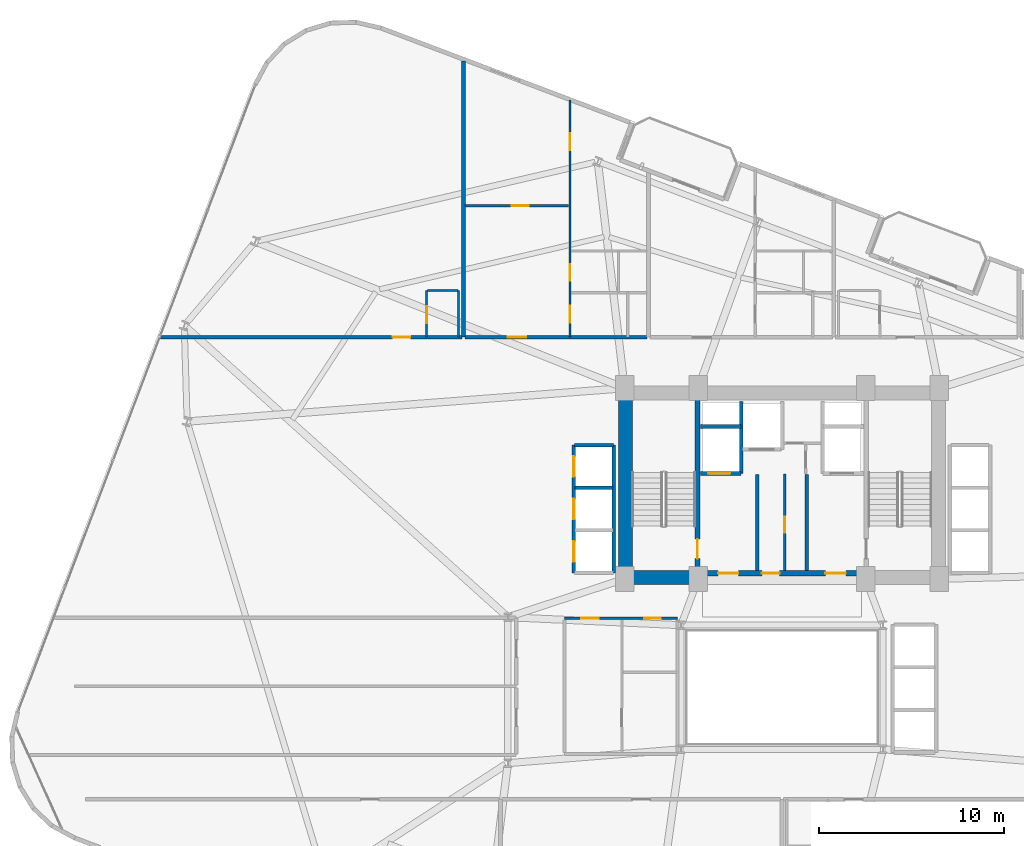
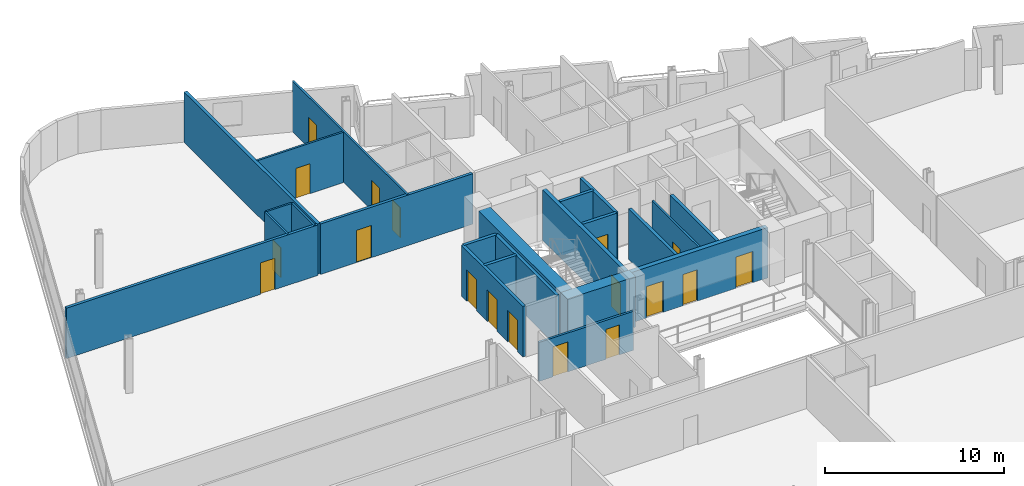
# One storey, part 19 of 25: 23 walls, 18 doors, 18 openings.
"""IFC4 building model written with IfcOpenShell, lengths in metres."""

from ifc_helpers import new_model, si_unit, direction, frame, frame_2d, origin, place, context, subcontext, project, spatial, rectangle, extrude, material, layer, layer_set, type_object, element, fill, save


model = new_model("IFC4")

# Units and contexts
model_context = context("Model", 3, precision=1e-05, world=origin(), true_north=direction((0.0, 1.0)))
body_context = subcontext(model_context, "Body", "Model", "MODEL_VIEW")
ifc_project = project(units=[si_unit("LENGTHUNIT", "METRE"), si_unit("AREAUNIT", "SQUARE_METRE"), si_unit("VOLUMEUNIT", "CUBIC_METRE"), si_unit("PLANEANGLEUNIT", "RADIAN"), si_unit("MASSUNIT", "GRAM", prefix="KILO")], contexts=[model_context])

# Site, building, storey
site_placement = place(None, origin())
site = spatial("IfcSite", under=ifc_project, at=site_placement, CompositionType="ELEMENT")
building_placement = place(site_placement, origin())
building = spatial("IfcBuilding", under=site, at=building_placement, Name="Varnelok Gate Tower", CompositionType="ELEMENT")
storey_placement = place(building_placement, frame((0.0, 0.0, 105.800048828125)))
storey = spatial("IfcBuildingStorey", under=building, at=storey_placement, Name="L26", CompositionType="ELEMENT", Elevation=105.800048828125)

# Wall, opening, door
ifc_material_1 = material(Name="Gypsum Plasterboard Acoustic Partition", Category="gypsum")
ifc_layer_1 = layer(ifc_material_1, 0.179931640625)
ifc_layer_set_1 = layer_set([ifc_layer_1], Name="Gypsum Plasterboard Acoustic Partition")
wall_type_1 = type_object("IfcWallType", Name="PW-CORR-180", PredefinedType="PARTITIONING", material=ifc_layer_set_1)
wall_1_placement = place(storey_placement, frame((5.64599609375, 41.800048828125, 0.0), z_axis=(0.0, 0.0, 1.0), x_axis=(1.0, 0.0, 0.0)))
wall_1 = element("IfcWall", 1, at=wall_1_placement, inside=storey, type_object=wall_type_1, Name="Interior Partition", PredefinedType="PARTITIONING", context=body_context, shape_type="SweptSolid", body=[
    extrude(rectangle(XDim=16.27392578125, YDim=0.179931640625, at=frame_2d((8.136962890625, 0.0))), origin(), (0.0, 0.0, 1.0), 3.449951171875),
])
opening_1_placement = place(wall_1_placement, frame((12.5341796875, 0.0, 0.0)))
opening_1 = element("IfcOpeningElement", 2, at=opening_1_placement, cuts=wall_1, Name="Opening D-HT", PredefinedType="OPENING", context=body_context, shape_type="SweptSolid", body=[
    extrude(rectangle(XDim=0.949951171875, YDim=2.14990234375, at=frame_2d((0.47509765625, 1.074951171875))), frame((0.0, 0.099853515625, 0.0), z_axis=(0.0, -1.0, 0.0), x_axis=(1.0, 0.0, 0.0)), (0.0, 0.0, 1.0), 0.199951171875),
])
ifc_material_2 = material(Name="Engineered Hardwood Timber", Category="wood")
door_type_1 = type_object("IfcDoorType", Name="DR-HTL-950", OperationType="NOTDEFINED", PredefinedType="DOOR", material=ifc_material_2)
door_1_placement = place(opening_1_placement, origin())
door_1 = element("IfcDoor", 3, at=door_1_placement, inside=storey, type_object=door_type_1, Name="L26 Guest Room 05 Entrance Door", OperationType="SINGLE_SWING_RIGHT", OverallHeight=2.14990234375, OverallWidth=0.949951171875, PredefinedType="DOOR", context=body_context, shape_type="SweptSolid", body=[
    extrude(rectangle(XDim=0.949951171875, YDim=2.14990234375, at=frame_2d((0.47509765625, 1.074951171875))), frame((0.0, 0.02490234375, 0.0), z_axis=(0.0, -1.0, 0.0), x_axis=(1.0, 0.0, 0.0)), (0.0, 0.0, 1.0), 0.050048828125),
])
fill(opening_1, door_1)

wall_2_placement = place(storey_placement, frame((22.080078125, 41.800048828125, 0.0), z_axis=(0.0, 0.0, 1.0), x_axis=(1.0, 0.0, 0.0)))
wall_2 = element("IfcWall", 4, at=wall_2_placement, inside=storey, type_object=wall_type_1, Name="Interior Partition", PredefinedType="PARTITIONING", context=body_context, shape_type="SweptSolid", body=[
    extrude(rectangle(XDim=9.83984375, YDim=0.179931640625, at=frame_2d((4.919921875, 0.0))), origin(), (0.0, 0.0, 1.0), 3.449951171875),
])
opening_2_placement = place(wall_2_placement, frame((2.302490234375, 0.0, 0.0)))
opening_2 = element("IfcOpeningElement", 5, at=opening_2_placement, cuts=wall_2, Name="Opening D-AP", PredefinedType="OPENING", context=body_context, shape_type="SweptSolid", body=[
    extrude(rectangle(XDim=1.0, YDim=2.199951171875, at=frame_2d((0.5, 1.10009765625))), frame((0.0, 0.099853515625, 0.0), z_axis=(0.0, -1.0, 0.0), x_axis=(1.0, 0.0, 0.0)), (0.0, 0.0, 1.0), 0.199951171875),
])
door_type_2 = type_object("IfcDoorType", Name="DR-APT-1000", OperationType="NOTDEFINED", PredefinedType="DOOR", material=ifc_material_2)
door_2_placement = place(opening_2_placement, origin())
door_2 = element("IfcDoor", 6, at=door_2_placement, inside=storey, type_object=door_type_2, Name="L26 North Apartment 6 Entrance Door", OperationType="SINGLE_SWING_RIGHT", OverallHeight=2.199951171875, OverallWidth=1.0, PredefinedType="DOOR", context=body_context, shape_type="SweptSolid", body=[
    extrude(rectangle(XDim=1.0, YDim=2.199951171875, at=frame_2d((0.5, 1.10009765625))), frame((0.0, 0.02490234375, 0.0), z_axis=(0.0, -1.0, 0.0), x_axis=(1.0, 0.0, 0.0)), (0.0, 0.0, 1.0), 0.050048828125),
])
fill(opening_2, door_2)

# Wall
ifc_layer_2 = layer(ifc_material_1, 0.114990234375)
ifc_layer_set_2 = layer_set([ifc_layer_2], Name="Gypsum Plasterboard Acoustic Partition")
wall_type_2 = type_object("IfcWallType", Name="PW-ENS-125", PredefinedType="PARTITIONING", material=ifc_layer_set_2)
wall_3_placement = place(storey_placement, frame((20.050048828125, 44.320068359375, 0.0), z_axis=(0.0, 0.0, 1.0), x_axis=(1.0, 0.0, 0.0)))
element("IfcWall", 7, at=wall_3_placement, inside=storey, type_object=wall_type_2, Name="Interior Partition", PredefinedType="PARTITIONING", context=body_context, shape_type="SweptSolid", body=[
    extrude(rectangle(XDim=1.64990234375, YDim=0.114990234375, at=frame_2d((0.824951171875, 0.0))), origin(), (0.0, 0.0, 1.0), 3.449951171875),
])

# Wall, opening, door
wall_4_placement = place(storey_placement, frame((20.010009765625, 41.800048828125, 0.0), z_axis=(0.0, 0.0, 1.0), x_axis=(0.0, 1.0, 0.0)))
wall_4 = element("IfcWall", 8, at=wall_4_placement, inside=storey, type_object=wall_type_2, Name="Interior Partition", PredefinedType="PARTITIONING", context=body_context, shape_type="SweptSolid", body=[
    extrude(rectangle(XDim=2.52001953125, YDim=0.114990234375, at=frame_2d((1.260009765625, 0.0))), origin(), (0.0, 0.0, 1.0), 3.449951171875),
])
opening_3_placement = place(wall_4_placement, frame((0.760009765625, 0.0, 0.0)))
opening_3 = element("IfcOpeningElement", 9, at=opening_3_placement, cuts=wall_4, Name="Opening D-WC", PredefinedType="OPENING", context=body_context, shape_type="SweptSolid", body=[
    extrude(rectangle(XDim=0.89990234375, YDim=2.050048828125, at=frame_2d((0.449951171875, 1.02490234375))), frame((0.0, 0.0673828125, 0.0), z_axis=(0.0, -1.0, 0.0), x_axis=(1.0, 0.0, 0.0)), (0.0, 0.0, 1.0), 0.135009765625),
])
door_type_3 = type_object("IfcDoorType", Name="DR-BATH-900", OperationType="NOTDEFINED", PredefinedType="DOOR", material=ifc_material_2)
door_3_placement = place(opening_3_placement, origin())
door_3 = element("IfcDoor", 10, at=door_3_placement, inside=storey, type_object=door_type_3, Name="L26 North En-Suite 05 Door", OperationType="SINGLE_SWING_LEFT", OverallHeight=2.050048828125, OverallWidth=0.89990234375, PredefinedType="DOOR", context=body_context, shape_type="SweptSolid", body=[
    extrude(rectangle(XDim=0.89990234375, YDim=2.050048828125, at=frame_2d((0.449951171875, 1.02490234375))), frame((0.0, 0.02490234375, 0.0), z_axis=(0.0, -1.0, 0.0), x_axis=(1.0, 0.0, 0.0)), (0.0, 0.0, 1.0), 0.050048828125),
])
fill(opening_3, door_3)

# Wall
wall_5_placement = place(storey_placement, frame((21.739990234375, 41.800048828125, 0.0), z_axis=(0.0, 0.0, 1.0), x_axis=(0.0, 1.0, 0.0)))
element("IfcWall", 11, at=wall_5_placement, inside=storey, type_object=wall_type_2, Name="Interior Partition", PredefinedType="PARTITIONING", context=body_context, shape_type="SweptSolid", body=[
    extrude(rectangle(XDim=2.52001953125, YDim=0.114990234375, at=frame_2d((1.260009765625, 0.0))), origin(), (0.0, 0.0, 1.0), 3.449951171875),
])

# Wall, opening, door
ifc_layer_3 = layer(ifc_material_1, 0.125)
ifc_layer_set_3 = layer_set([ifc_layer_3], Name="Gypsum Plasterboard Acoustic Partition")
wall_type_3 = type_object("IfcWallType", Name="PW-PART-125", PredefinedType="PARTITIONING", material=ifc_layer_set_3)
wall_6_placement = place(storey_placement, frame((22.080078125, 48.89990234375, 0.0), z_axis=(0.0, 0.0, 1.0), x_axis=(1.0, 0.0, 0.0)))
wall_6 = element("IfcWall", 12, at=wall_6_placement, inside=storey, type_object=wall_type_3, Name="Interior Partition", PredefinedType="PARTITIONING", context=body_context, shape_type="SweptSolid", body=[
    extrude(rectangle(XDim=5.605224609375, YDim=0.125, at=frame_2d((2.802734375, 0.0))), origin(), (0.0, 0.0, 1.0), 3.449951171875),
])
opening_4_placement = place(wall_6_placement, frame((2.522216796875, 0.0, 0.0)))
opening_4 = element("IfcOpeningElement", 13, at=opening_4_placement, cuts=wall_6, Name="Opening D-I3", PredefinedType="OPENING", context=body_context, shape_type="SweptSolid", body=[
    extrude(rectangle(XDim=0.919921875, YDim=2.050048828125, at=frame_2d((0.4599609375, 1.02490234375))), frame((0.0, 0.072509765625, 0.0), z_axis=(0.0, -1.0, 0.0), x_axis=(1.0, 0.0, 0.0)), (0.0, 0.0, 1.0), 0.14501953125),
])
door_type_4 = type_object("IfcDoorType", Name="DR-INT-920", OperationType="NOTDEFINED", PredefinedType="DOOR", material=ifc_material_2)
door_4_placement = place(opening_4_placement, origin())
door_4 = element("IfcDoor", 14, at=door_4_placement, inside=storey, type_object=door_type_4, Name="L26 North Apt 6 Study Door", OperationType="SINGLE_SWING_RIGHT", OverallHeight=2.050048828125, OverallWidth=0.919921875, PredefinedType="DOOR", context=body_context, shape_type="SweptSolid", body=[
    extrude(rectangle(XDim=0.919921875, YDim=2.050048828125, at=frame_2d((0.4599609375, 1.02490234375))), frame((0.0, 0.02490234375, 0.0), z_axis=(0.0, -1.0, 0.0), x_axis=(1.0, 0.0, 0.0)), (0.0, 0.0, 1.0), 0.050048828125),
])
fill(opening_4, door_4)

# Wall, openings, doors
wall_7_placement = place(storey_placement, frame((27.755126953125, 41.800048828125, 0.0), z_axis=(0.0, 0.0, 1.0), x_axis=(0.0, 1.0, 0.0)))
wall_7 = element("IfcWall", 15, at=wall_7_placement, inside=storey, type_object=wall_type_3, Name="Interior Partition", PredefinedType="PARTITIONING", context=body_context, shape_type="SweptSolid", body=[
    extrude(rectangle(XDim=12.810791015625, YDim=0.125, at=frame_2d((6.4052734375, 0.0))), origin(), (0.0, 0.0, 1.0), 3.449951171875),
])
opening_5_placement = place(wall_7_placement, frame((0.785400390625, 0.0, 0.0)))
opening_5 = element("IfcOpeningElement", 16, at=opening_5_placement, cuts=wall_7, Name="Opening D-I3", PredefinedType="OPENING", context=body_context, shape_type="SweptSolid", body=[
    extrude(rectangle(XDim=0.919921875, YDim=2.050048828125, at=frame_2d((0.4599609375, 1.02490234375))), frame((0.0, 0.072509765625, 0.0), z_axis=(0.0, -1.0, 0.0), x_axis=(1.0, 0.0, 0.0)), (0.0, 0.0, 1.0), 0.14501953125),
])
opening_6_placement = place(wall_7_placement, frame((3.037353515625, 0.0, 0.0)))
opening_6 = element("IfcOpeningElement", 17, at=opening_6_placement, cuts=wall_7, Name="Opening D-WC", PredefinedType="OPENING", context=body_context, shape_type="SweptSolid", body=[
    extrude(rectangle(XDim=0.89990234375, YDim=2.050048828125, at=frame_2d((0.449951171875, 1.02490234375))), frame((0.0, 0.072509765625, 0.0), z_axis=(0.0, -1.0, 0.0), x_axis=(1.0, 0.0, 0.0)), (0.0, 0.0, 1.0), 0.14501953125),
])
opening_7_placement = place(wall_7_placement, frame((10.089111328125, 0.0, 0.0)))
opening_7 = element("IfcOpeningElement", 18, at=opening_7_placement, cuts=wall_7, Name="Opening D-I3", PredefinedType="OPENING", context=body_context, shape_type="SweptSolid", body=[
    extrude(rectangle(XDim=0.919921875, YDim=2.050048828125, at=frame_2d((0.4599609375, 1.02490234375))), frame((0.0, 0.072509765625, 0.0), z_axis=(0.0, -1.0, 0.0), x_axis=(1.0, 0.0, 0.0)), (0.0, 0.0, 1.0), 0.14501953125),
])
door_5_placement = place(opening_6_placement, origin())
door_5 = element("IfcDoor", 19, at=door_5_placement, inside=storey, type_object=door_type_3, Name="L26 North Apt 6 Bathroom Door", OperationType="SINGLE_SWING_RIGHT", OverallHeight=2.050048828125, OverallWidth=0.89990234375, PredefinedType="DOOR", context=body_context, shape_type="SweptSolid", body=[
    extrude(rectangle(XDim=0.89990234375, YDim=2.050048828125, at=frame_2d((0.449951171875, 1.02490234375))), frame((0.0, 0.02490234375, 0.0), z_axis=(0.0, -1.0, 0.0), x_axis=(1.0, 0.0, 0.0)), (0.0, 0.0, 1.0), 0.050048828125),
])
fill(opening_6, door_5)
door_6_placement = place(opening_5_placement, origin())
door_6 = element("IfcDoor", 20, at=door_6_placement, inside=storey, type_object=door_type_4, Name="L26 North Apt 6 Kitchen Door", OperationType="SINGLE_SWING_LEFT", OverallHeight=2.050048828125, OverallWidth=0.919921875, PredefinedType="DOOR", context=body_context, shape_type="SweptSolid", body=[
    extrude(rectangle(XDim=0.919921875, YDim=2.050048828125, at=frame_2d((0.4599609375, 1.02490234375))), frame((0.0, 0.02490234375, 0.0), z_axis=(0.0, -1.0, 0.0), x_axis=(1.0, 0.0, 0.0)), (0.0, 0.0, 1.0), 0.050048828125),
])
fill(opening_5, door_6)
door_7_placement = place(opening_7_placement, origin())
door_7 = element("IfcDoor", 21, at=door_7_placement, inside=storey, type_object=door_type_4, Name="L26 North Apt 6 Bedroom Door", OperationType="SINGLE_SWING_LEFT", OverallHeight=2.050048828125, OverallWidth=0.919921875, PredefinedType="DOOR", context=body_context, shape_type="SweptSolid", body=[
    extrude(rectangle(XDim=0.919921875, YDim=2.050048828125, at=frame_2d((0.4599609375, 1.02490234375))), frame((0.0, 0.02490234375, 0.0), z_axis=(0.0, -1.0, 0.0), x_axis=(1.0, 0.0, 0.0)), (0.0, 0.0, 1.0), 0.050048828125),
])
fill(opening_7, door_7)

# Wall, opening, door
wall_8_placement = place(storey_placement, frame((39.35009765625, 29.199951171875, 0.0), z_axis=(0.0, 0.0, 1.0), x_axis=(0.0, 1.0, 0.0)))
wall_8 = element("IfcWall", 22, at=wall_8_placement, inside=storey, type_object=wall_type_3, Name="Interior Partition", PredefinedType="PARTITIONING", context=body_context, shape_type="SweptSolid", body=[
    extrude(rectangle(XDim=5.219970703125, YDim=0.125, at=frame_2d((2.60986328125, 0.0))), origin(), (0.0, 0.0, 1.0), 3.449951171875),
])
opening_8_placement = place(wall_8_placement, frame((2.050048828125, 0.0, 0.0)))
opening_8 = element("IfcOpeningElement", 23, at=opening_8_placement, cuts=wall_8, Name="Opening D-RS", PredefinedType="OPENING", context=body_context, shape_type="SweptSolid", body=[
    extrude(rectangle(XDim=0.85009765625, YDim=2.050048828125, at=frame_2d((0.425048828125, 1.02490234375))), frame((0.0, 0.072509765625, 0.0), z_axis=(0.0, -1.0, 0.0), x_axis=(1.0, 0.0, 0.0)), (0.0, 0.0, 1.0), 0.14501953125),
])
ifc_material_3 = material(Name="Galvanized Steel Grade S350GD", Category="steel")
door_type_5 = type_object("IfcDoorType", Name="DR-RISER-850", OperationType="NOTDEFINED", PredefinedType="DOOR", material=ifc_material_3)
door_8_placement = place(opening_8_placement, origin())
door_8 = element("IfcDoor", 24, at=door_8_placement, inside=storey, type_object=door_type_5, Name="L26 Housekeeping Linen Door", OperationType="SINGLE_SWING_RIGHT", OverallHeight=2.050048828125, OverallWidth=0.85009765625, PredefinedType="DOOR", context=body_context, shape_type="SweptSolid", body=[
    extrude(rectangle(XDim=0.85009765625, YDim=2.050048828125, at=frame_2d((0.425048828125, 1.02490234375))), frame((0.0, 0.02490234375, 0.0), z_axis=(0.0, -1.0, 0.0), x_axis=(1.0, 0.0, 0.0)), (0.0, 0.0, 1.0), 0.050048828125),
])
fill(opening_8, door_8)

# Wall, openings, doors
ifc_layer_4 = layer(ifc_material_1, 0.14990234375)
ifc_layer_set_4 = layer_set([ifc_layer_4], Name="Gypsum Plasterboard Acoustic Partition")
wall_type_4 = type_object("IfcWallType", Name="PW-PART-150", PredefinedType="PARTITIONING", material=ifc_layer_set_4)
wall_9_placement = place(storey_placement, frame((27.4599609375, 26.6201171875, 0.0), z_axis=(0.0, 0.0, 1.0), x_axis=(1.0, 0.0, 0.0)))
wall_9 = element("IfcWall", 25, at=wall_9_placement, inside=storey, type_object=wall_type_4, Name="Interior Partition", PredefinedType="PARTITIONING", context=body_context, shape_type="SweptSolid", body=[
    extrude(rectangle(XDim=6.10009765625, YDim=0.14990234375, at=frame_2d((3.050048828125, 0.0))), origin(), (0.0, 0.0, 1.0), 2.661865234375),
])
opening_9_placement = place(wall_9_placement, frame((0.89990234375, 0.0, 0.0)))
opening_9 = element("IfcOpeningElement", 26, at=opening_9_placement, cuts=wall_9, Name="Opening D-I2", PredefinedType="OPENING", context=body_context, shape_type="SweptSolid", body=[
    extrude(rectangle(XDim=0.949951171875, YDim=2.050048828125, at=frame_2d((0.47509765625, 1.02490234375))), frame((0.0, 0.0849609375, 0.0), z_axis=(0.0, -1.0, 0.0), x_axis=(1.0, 0.0, 0.0)), (0.0, 0.0, 1.0), 0.169921875),
])
opening_10_placement = place(wall_9_placement, frame((4.302978515625, 0.0, 0.0)))
opening_10 = element("IfcOpeningElement", 27, at=opening_10_placement, cuts=wall_9, Name="Opening D-WC", PredefinedType="OPENING", context=body_context, shape_type="SweptSolid", body=[
    extrude(rectangle(XDim=0.89990234375, YDim=2.050048828125, at=frame_2d((0.449951171875, 1.02490234375))), frame((0.0, 0.0849609375, 0.0), z_axis=(0.0, -1.0, 0.0), x_axis=(1.0, 0.0, 0.0)), (0.0, 0.0, 1.0), 0.169921875),
])
door_9_placement = place(opening_10_placement, origin())
door_9 = element("IfcDoor", 28, at=door_9_placement, inside=storey, type_object=door_type_3, Name="L26 Accessible Floor WC Door", OperationType="SINGLE_SWING_LEFT", OverallHeight=2.050048828125, OverallWidth=0.89990234375, PredefinedType="DOOR", context=body_context, shape_type="SweptSolid", body=[
    extrude(rectangle(XDim=0.89990234375, YDim=2.050048828125, at=frame_2d((0.449951171875, 1.02490234375))), frame((0.0, 0.02490234375, 0.0), z_axis=(0.0, -1.0, 0.0), x_axis=(1.0, 0.0, 0.0)), (0.0, 0.0, 1.0), 0.050048828125),
])
fill(opening_10, door_9)
door_type_6 = type_object("IfcDoorType", Name="DR-INT-950", OperationType="NOTDEFINED", PredefinedType="DOOR", material=ifc_material_2)
door_10_placement = place(opening_9_placement, origin())
door_10 = element("IfcDoor", 29, at=door_10_placement, inside=storey, type_object=door_type_6, Name="L26 Spa Treatment Suite Door", OperationType="SINGLE_SWING_RIGHT", OverallHeight=2.050048828125, OverallWidth=0.949951171875, PredefinedType="DOOR", context=body_context, shape_type="SweptSolid", body=[
    extrude(rectangle(XDim=0.949951171875, YDim=2.050048828125, at=frame_2d((0.47509765625, 1.02490234375))), frame((0.0, 0.02490234375, 0.0), z_axis=(0.0, -1.0, 0.0), x_axis=(1.0, 0.0, 0.0)), (0.0, 0.0, 1.0), 0.050048828125),
])
fill(opening_9, door_10)

# Walls
ifc_layer_5 = layer(ifc_material_1, 0.205078125)
ifc_layer_set_5 = layer_set([ifc_layer_5], Name="Gypsum Plasterboard Acoustic Partition")
wall_type_5 = type_object("IfcWallType", Name="PW-PARTY-200", PredefinedType="PARTITIONING", material=ifc_layer_set_5)
wall_10_placement = place(storey_placement, frame((22.0, 41.800048828125, 0.0), z_axis=(0.0, 0.0, 1.0), x_axis=(0.0, 1.0, 0.0)))
element("IfcWall", 30, at=wall_10_placement, inside=storey, type_object=wall_type_5, Name="L26 North Party Wall 1", PredefinedType="PARTITIONING", context=body_context, shape_type="SweptSolid", body=[
    extrude(rectangle(XDim=14.906005859375, YDim=0.205078125, at=frame_2d((7.453125, 0.0))), origin(), (0.0, 0.0, 1.0), 3.449951171875),
])
ifc_material_4 = material(Name="Concrete C35/45", Category="concrete")
ifc_layer_6 = layer(ifc_material_4, 0.199951171875)
ifc_layer_set_6 = layer_set([ifc_layer_6], Name="Concrete C35/45")
wall_type_6 = type_object("IfcWallType", Name="PW-SHAFT-200", PredefinedType="PARTITIONING", material=ifc_layer_set_6)
for number, where, z_axis, x_axis, name in (
    (31, (37.860107421875, 29.199951171875, 0.0), (0.0, 0.0, 1.0), (0.0, 1.0, 0.0), "L26 West FF Lobby Rated Wall"),
    (32, (40.5400390625, 29.199951171875, 0.0), (0.0, 0.0, 1.0), (0.0, 1.0, 0.0), "L26 East FF Lobby Rated Wall"),
):
    element("IfcWall", number, at=place(storey_placement, frame(where, z_axis=z_axis, x_axis=x_axis)), inside=storey, type_object=wall_type_6, Name=name, PredefinedType="PARTITIONING", context=body_context, shape_type="SweptSolid", body=[
        extrude(rectangle(XDim=5.179931640625, YDim=0.199951171875, at=frame_2d((2.58984375, 0.0))), origin(), (0.0, 0.0, 1.0), 3.449951171875),
    ])

# Wall, opening, door
wall_11_placement = place(storey_placement, frame((34.800048828125, 34.43994140625, 0.0), z_axis=(0.0, 0.0, 1.0), x_axis=(1.0, 0.0, 0.0)))
wall_11 = element("IfcWall", 33, at=wall_11_placement, inside=storey, type_object=wall_type_6, Name="L26 FF1 Shaft Front Wall", PredefinedType="PARTITIONING", context=body_context, shape_type="SweptSolid", body=[
    extrude(rectangle(XDim=2.179931640625, YDim=0.199951171875, at=frame_2d((1.08984375, 0.0))), origin(), (0.0, 0.0, 1.0), 3.449951171875),
])
opening_11_placement = place(wall_11_placement, frame((0.419921875, 0.0, 0.0)))
opening_11 = element("IfcOpeningElement", 34, at=opening_11_placement, cuts=wall_11, Name="Opening LD-FF1", PredefinedType="OPENING", context=body_context, shape_type="SweptSolid", body=[
    extrude(rectangle(XDim=1.199951171875, YDim=2.199951171875, at=frame_2d((0.60009765625, 1.10009765625))), frame((0.0, 0.10986328125, 0.0), z_axis=(0.0, -1.0, 0.0), x_axis=(1.0, 0.0, 0.0)), (0.0, 0.0, 1.0), 0.219970703125),
])
door_type_7 = type_object("IfcDoorType", Name="DR-LIFT-FF1200", OperationType="SLIDING_TO_LEFT", PredefinedType="DOOR", material=ifc_material_3)
door_11_placement = place(opening_11_placement, origin())
door_11 = element("IfcDoor", 35, at=door_11_placement, inside=storey, type_object=door_type_7, Name="L26 Firefighting Lift Landing Door LD-FF1", OperationType="SLIDING_TO_LEFT", OverallHeight=2.199951171875, OverallWidth=1.199951171875, PredefinedType="DOOR", context=body_context, shape_type="SweptSolid", body=[
    extrude(rectangle(XDim=1.199951171875, YDim=2.199951171875, at=frame_2d((0.60009765625, 1.10009765625))), frame((0.0, 0.02490234375, 0.0), z_axis=(0.0, -1.0, 0.0), x_axis=(1.0, 0.0, 0.0)), (0.0, 0.0, 1.0), 0.050048828125),
])
fill(opening_11, door_11)

# Walls
wall_12_placement = place(storey_placement, frame((34.800048828125, 36.97998046875, 0.0), z_axis=(0.0, 0.0, 1.0), x_axis=(1.0, 0.0, 0.0)))
element("IfcWall", 36, at=wall_12_placement, inside=storey, type_object=wall_type_6, Name="L26 FF1 Shaft North Wall", PredefinedType="PARTITIONING", context=body_context, shape_type="SweptSolid", body=[
    extrude(rectangle(XDim=2.179931640625, YDim=0.199951171875, at=frame_2d((1.08984375, 0.0))), origin(), (0.0, 0.0, 1.0), 3.449951171875),
])
wall_13_placement = place(storey_placement, frame((37.0, 34.43994140625, 0.0), z_axis=(0.0, 0.0, 1.0), x_axis=(0.0, 1.0, 0.0)))
element("IfcWall", 37, at=wall_13_placement, inside=storey, type_object=wall_type_6, Name="L26 FF1 Shaft Side Wall", PredefinedType="PARTITIONING", context=body_context, shape_type="SweptSolid", body=[
    extrude(rectangle(XDim=3.900146484375, YDim=0.199951171875, at=frame_2d((1.9501953125, 0.0))), origin(), (0.0, 0.0, 1.0), 3.449951171875),
])
wall_14_placement = place(storey_placement, frame((28.02001953125, 33.675048828125, 0.0), z_axis=(0.0, 0.0, 1.0), x_axis=(1.0, 0.0, 0.0)))
element("IfcWall", 38, at=wall_14_placement, inside=storey, type_object=wall_type_6, Name="L26 PL2 Divider", PredefinedType="PARTITIONING", context=body_context, shape_type="SweptSolid", body=[
    extrude(rectangle(XDim=2.06005859375, YDim=0.199951171875, at=frame_2d((1.030029296875, 0.0))), origin(), (0.0, 0.0, 1.0), 3.449951171875),
])
wall_15_placement = place(storey_placement, frame((28.0, 35.969970703125, 0.0), z_axis=(0.0, 0.0, 1.0), x_axis=(1.0, 0.0, 0.0)))
element("IfcWall", 39, at=wall_15_placement, inside=storey, type_object=wall_type_6, Name="L26 PL Bank North Wall", PredefinedType="PARTITIONING", context=body_context, shape_type="SweptSolid", body=[
    extrude(rectangle(XDim=2.10009765625, YDim=0.199951171875, at=frame_2d((1.050048828125, 0.0))), origin(), (0.0, 0.0, 1.0), 3.449951171875),
])
wall_16_placement = place(storey_placement, frame((30.1201171875, 29.080078125, 0.0), z_axis=(0.0, 0.0, 1.0), x_axis=(0.0, 1.0, 0.0)))
element("IfcWall", 40, at=wall_16_placement, inside=storey, type_object=wall_type_6, Name="L26 PL Bank Back Wall", PredefinedType="PARTITIONING", context=body_context, shape_type="SweptSolid", body=[
    extrude(rectangle(XDim=6.889892578125, YDim=0.199951171875, at=frame_2d((3.44482421875, 0.0))), origin(), (0.0, 0.0, 1.0), 3.449951171875),
])

# Wall, openings, doors
wall_17_placement = place(storey_placement, frame((27.9599609375, 29.080078125, 0.0), z_axis=(0.0, 0.0, 1.0), x_axis=(0.0, 1.0, 0.0)))
wall_17 = element("IfcWall", 41, at=wall_17_placement, inside=storey, type_object=wall_type_6, Name="L26 PL Bank Front Wall", PredefinedType="PARTITIONING", context=body_context, shape_type="SweptSolid", body=[
    extrude(rectangle(XDim=6.889892578125, YDim=0.199951171875, at=frame_2d((3.44482421875, 0.0))), origin(), (0.0, 0.0, 1.0), 3.449951171875),
])
opening_12_placement = place(wall_17_placement, frame((0.590087890625, 0.0, 0.0)))
opening_12 = element("IfcOpeningElement", 42, at=opening_12_placement, cuts=wall_17, Name="Opening LD-PL1", PredefinedType="OPENING", context=body_context, shape_type="SweptSolid", body=[
    extrude(rectangle(XDim=1.10009765625, YDim=2.14990234375, at=frame_2d((0.550048828125, 1.074951171875))), frame((0.0, 0.10986328125, 0.0), z_axis=(0.0, -1.0, 0.0), x_axis=(1.0, 0.0, 0.0)), (0.0, 0.0, 1.0), 0.219970703125),
])
opening_13_placement = place(wall_17_placement, frame((2.889892578125, 0.0, 0.0)))
opening_13 = element("IfcOpeningElement", 43, at=opening_13_placement, cuts=wall_17, Name="Opening LD-PL2", PredefinedType="OPENING", context=body_context, shape_type="SweptSolid", body=[
    extrude(rectangle(XDim=1.10009765625, YDim=2.14990234375, at=frame_2d((0.550048828125, 1.074951171875))), frame((0.0, 0.10986328125, 0.0), z_axis=(0.0, -1.0, 0.0), x_axis=(1.0, 0.0, 0.0)), (0.0, 0.0, 1.0), 0.219970703125),
])
opening_14_placement = place(wall_17_placement, frame((5.18994140625, 0.0, 0.0)))
opening_14 = element("IfcOpeningElement", 44, at=opening_14_placement, cuts=wall_17, Name="Opening LD-PL3", PredefinedType="OPENING", context=body_context, shape_type="SweptSolid", body=[
    extrude(rectangle(XDim=1.10009765625, YDim=2.14990234375, at=frame_2d((0.550048828125, 1.074951171875))), frame((0.0, 0.10986328125, 0.0), z_axis=(0.0, -1.0, 0.0), x_axis=(1.0, 0.0, 0.0)), (0.0, 0.0, 1.0), 0.219970703125),
])
door_type_8 = type_object("IfcDoorType", Name="DR-LIFT-PAX1100", OperationType="SLIDING_TO_LEFT", PredefinedType="DOOR", material=ifc_material_3)
door_12_placement = place(opening_12_placement, origin())
door_12 = element("IfcDoor", 45, at=door_12_placement, inside=storey, type_object=door_type_8, Name="L26 Passenger Lift Landing Door LD-PL1", OperationType="SLIDING_TO_LEFT", OverallHeight=2.14990234375, OverallWidth=1.10009765625, PredefinedType="DOOR", context=body_context, shape_type="SweptSolid", body=[
    extrude(rectangle(XDim=1.10009765625, YDim=2.14990234375, at=frame_2d((0.550048828125, 1.074951171875))), frame((0.0, 0.02490234375, 0.0), z_axis=(0.0, -1.0, 0.0), x_axis=(1.0, 0.0, 0.0)), (0.0, 0.0, 1.0), 0.050048828125),
])
fill(opening_12, door_12)
door_13_placement = place(opening_13_placement, origin())
door_13 = element("IfcDoor", 46, at=door_13_placement, inside=storey, type_object=door_type_8, Name="L26 Passenger Lift Landing Door LD-PL2", OperationType="SLIDING_TO_LEFT", OverallHeight=2.14990234375, OverallWidth=1.10009765625, PredefinedType="DOOR", context=body_context, shape_type="SweptSolid", body=[
    extrude(rectangle(XDim=1.10009765625, YDim=2.14990234375, at=frame_2d((0.550048828125, 1.074951171875))), frame((0.0, 0.02490234375, 0.0), z_axis=(0.0, -1.0, 0.0), x_axis=(1.0, 0.0, 0.0)), (0.0, 0.0, 1.0), 0.050048828125),
])
fill(opening_13, door_13)
door_14_placement = place(opening_14_placement, origin())
door_14 = element("IfcDoor", 47, at=door_14_placement, inside=storey, type_object=door_type_8, Name="L26 Passenger Lift Landing Door LD-PL3", OperationType="SLIDING_TO_LEFT", OverallHeight=2.14990234375, OverallWidth=1.10009765625, PredefinedType="DOOR", context=body_context, shape_type="SweptSolid", body=[
    extrude(rectangle(XDim=1.10009765625, YDim=2.14990234375, at=frame_2d((0.550048828125, 1.074951171875))), frame((0.0, 0.02490234375, 0.0), z_axis=(0.0, -1.0, 0.0), x_axis=(1.0, 0.0, 0.0)), (0.0, 0.0, 1.0), 0.050048828125),
])
fill(opening_14, door_14)

# Walls
ifc_material_5 = material(Name="Concrete C70/85", Category="concrete")
ifc_layer_7 = layer(ifc_material_5, 0.75)
ifc_layer_set_7 = layer_set([ifc_layer_7], Name="Concrete C70/85")
wall_type_7 = type_object("IfcWallType", Name="SW-CORE-750", PredefinedType="SHEAR", material=ifc_layer_set_7)
wall_18_placement = place(storey_placement, frame((30.7548828125, 29.199951171875, 0.0), z_axis=(0.0, 0.0, 1.0), x_axis=(0.0, 1.0, 0.0)))
element("IfcWall", 48, at=wall_18_placement, inside=storey, type_object=wall_type_7, Name="L26 Rear Core West Shear Wall", PredefinedType="SHEAR", context=body_context, shape_type="SweptSolid", body=[
    extrude(rectangle(XDim=9.219970703125, YDim=0.75, at=frame_2d((4.60986328125, 0.0))), origin(), (0.0, 0.0, 1.0), 3.449951171875),
])
wall_19_placement = place(storey_placement, frame((30.3798828125, 28.824951171875, 0.0), z_axis=(0.0, 0.0, 1.0), x_axis=(1.0, 0.0, 0.0)))
element("IfcWall", 49, at=wall_19_placement, inside=storey, type_object=wall_type_7, Name="L26 Rear Core South-West Shear Wall", PredefinedType="SHEAR", context=body_context, shape_type="SweptSolid", body=[
    extrude(rectangle(XDim=4.420166015625, YDim=0.75, at=frame_2d((2.2099609375, 0.0))), origin(), (0.0, 0.0, 1.0), 3.449951171875),
])

# Wall, opening, door
ifc_material_6 = material(Name="Concrete C60/75", Category="concrete")
ifc_layer_8 = layer(ifc_material_6, 0.25)
ifc_layer_set_8 = layer_set([ifc_layer_8], Name="Concrete C60/75")
wall_type_8 = type_object("IfcWallType", Name="SW-SHAFT-250", PredefinedType="SHEAR", material=ifc_layer_set_8)
wall_20_placement = place(storey_placement, frame((34.639892578125, 29.199951171875, 0.0), z_axis=(0.0, 0.0, 1.0), x_axis=(0.0, 1.0, 0.0)))
wall_20 = element("IfcWall", 50, at=wall_20_placement, inside=storey, type_object=wall_type_8, Name="L26 Stair ST-1 East Shear Wall", PredefinedType="SHEAR", context=body_context, shape_type="SweptSolid", body=[
    extrude(rectangle(XDim=9.219970703125, YDim=0.25, at=frame_2d((4.60986328125, 0.0))), origin(), (0.0, 0.0, 1.0), 3.449951171875),
])
opening_15_placement = place(wall_20_placement, frame((0.64990234375, 0.0, 0.0)))
opening_15 = element("IfcOpeningElement", 51, at=opening_15_placement, cuts=wall_20, Name="Opening D-ST", PredefinedType="OPENING", context=body_context, shape_type="SweptSolid", body=[
    extrude(rectangle(XDim=1.050048828125, YDim=2.14990234375, at=frame_2d((0.52490234375, 1.074951171875))), frame((0.0, 0.135009765625, 0.0), z_axis=(0.0, -1.0, 0.0), x_axis=(1.0, 0.0, 0.0)), (0.0, 0.0, 1.0), 0.27001953125),
])
door_type_9 = type_object("IfcDoorType", Name="DR-STAIR-1050", OperationType="NOTDEFINED", PredefinedType="DOOR", material=ifc_material_3)
door_15_placement = place(opening_15_placement, origin())
door_15 = element("IfcDoor", 52, at=door_15_placement, inside=storey, type_object=door_type_9, Name="L26 Exit Stair ST-1 Fire Door", OperationType="SINGLE_SWING_LEFT", OverallHeight=2.14990234375, OverallWidth=1.050048828125, PredefinedType="DOOR", context=body_context, shape_type="SweptSolid", body=[
    extrude(rectangle(XDim=1.050048828125, YDim=2.14990234375, at=frame_2d((0.52490234375, 1.074951171875))), frame((0.0, 0.02490234375, 0.0), z_axis=(0.0, -1.0, 0.0), x_axis=(1.0, 0.0, 0.0)), (0.0, 0.0, 1.0), 0.050048828125),
])
fill(opening_15, door_15)

# Wall, openings, doors
ifc_layer_9 = layer(ifc_material_6, 0.300048828125)
ifc_layer_set_9 = layer_set([ifc_layer_9], Name="Concrete C60/75")
wall_type_9 = type_object("IfcWallType", Name="SW-SHAFT-300", PredefinedType="SHEAR", material=ifc_layer_set_9)
wall_21_placement = place(storey_placement, frame((34.800048828125, 29.050048828125, 0.0), z_axis=(0.0, 0.0, 1.0), x_axis=(1.0, 0.0, 0.0)))
wall_21 = element("IfcWall", 53, at=wall_21_placement, inside=storey, type_object=wall_type_9, Name="L26 Rear Core Central Lobby Shear Wall", PredefinedType="SHEAR", context=body_context, shape_type="SweptSolid", body=[
    extrude(rectangle(XDim=8.800048828125, YDim=0.300048828125, at=frame_2d((4.39990234375, 0.0))), origin(), (0.0, 0.0, 1.0), 3.449951171875),
])
opening_16_placement = place(wall_21_placement, frame((0.949951171875, 0.0, 0.0)))
opening_16 = element("IfcOpeningElement", 54, at=opening_16_placement, cuts=wall_21, Name="Opening D-FF", PredefinedType="OPENING", context=body_context, shape_type="SweptSolid", body=[
    extrude(rectangle(XDim=1.10009765625, YDim=2.14990234375, at=frame_2d((0.550048828125, 1.074951171875))), frame((0.0, 0.159912109375, 0.0), z_axis=(0.0, -1.0, 0.0), x_axis=(1.0, 0.0, 0.0)), (0.0, 0.0, 1.0), 0.320068359375),
])
opening_17_placement = place(wall_21_placement, frame((6.75, 0.0, 0.0)))
opening_17 = element("IfcOpeningElement", 55, at=opening_17_placement, cuts=wall_21, Name="Opening D-FF", PredefinedType="OPENING", context=body_context, shape_type="SweptSolid", body=[
    extrude(rectangle(XDim=1.10009765625, YDim=2.14990234375, at=frame_2d((0.550048828125, 1.074951171875))), frame((0.0, 0.159912109375, 0.0), z_axis=(0.0, -1.0, 0.0), x_axis=(1.0, 0.0, 0.0)), (0.0, 0.0, 1.0), 0.320068359375),
])
opening_18_placement = place(wall_21_placement, frame((3.320068359375, 0.0, 0.0)))
opening_18 = element("IfcOpeningElement", 56, at=opening_18_placement, cuts=wall_21, Name="Opening D-CR", PredefinedType="OPENING", context=body_context, shape_type="SweptSolid", body=[
    extrude(rectangle(XDim=0.949951171875, YDim=2.14990234375, at=frame_2d((0.47509765625, 1.074951171875))), frame((0.0, 0.159912109375, 0.0), z_axis=(0.0, -1.0, 0.0), x_axis=(1.0, 0.0, 0.0)), (0.0, 0.0, 1.0), 0.320068359375),
])
door_type_10 = type_object("IfcDoorType", Name="DR-CORR-950", OperationType="NOTDEFINED", PredefinedType="DOOR", material=ifc_material_3)
door_16_placement = place(opening_18_placement, origin())
door_16 = element("IfcDoor", 57, at=door_16_placement, inside=storey, type_object=door_type_10, Name="L26 Core Service Passage Door", OperationType="SINGLE_SWING_LEFT", OverallHeight=2.14990234375, OverallWidth=0.949951171875, PredefinedType="DOOR", context=body_context, shape_type="SweptSolid", body=[
    extrude(rectangle(XDim=0.949951171875, YDim=2.14990234375, at=frame_2d((0.47509765625, 1.074951171875))), frame((0.0, 0.02490234375, 0.0), z_axis=(0.0, -1.0, 0.0), x_axis=(1.0, 0.0, 0.0)), (0.0, 0.0, 1.0), 0.050048828125),
])
fill(opening_18, door_16)
door_type_11 = type_object("IfcDoorType", Name="DR-FFLOB-1100", OperationType="NOTDEFINED", PredefinedType="DOOR", material=ifc_material_3)
door_17_placement = place(opening_16_placement, origin())
door_17 = element("IfcDoor", 58, at=door_17_placement, inside=storey, type_object=door_type_11, Name="L26 West Firefighting Lobby Fire Door", OperationType="SINGLE_SWING_RIGHT", OverallHeight=2.14990234375, OverallWidth=1.10009765625, PredefinedType="DOOR", context=body_context, shape_type="SweptSolid", body=[
    extrude(rectangle(XDim=1.10009765625, YDim=2.14990234375, at=frame_2d((0.550048828125, 1.074951171875))), frame((0.0, 0.02490234375, 0.0), z_axis=(0.0, -1.0, 0.0), x_axis=(1.0, 0.0, 0.0)), (0.0, 0.0, 1.0), 0.050048828125),
])
fill(opening_16, door_17)
door_18_placement = place(opening_17_placement, origin())
door_18 = element("IfcDoor", 59, at=door_18_placement, inside=storey, type_object=door_type_11, Name="L26 East Firefighting Lobby Fire Door", OperationType="SINGLE_SWING_LEFT", OverallHeight=2.14990234375, OverallWidth=1.10009765625, PredefinedType="DOOR", context=body_context, shape_type="SweptSolid", body=[
    extrude(rectangle(XDim=1.10009765625, YDim=2.14990234375, at=frame_2d((0.550048828125, 1.074951171875))), frame((0.0, 0.02490234375, 0.0), z_axis=(0.0, -1.0, 0.0), x_axis=(1.0, 0.0, 0.0)), (0.0, 0.0, 1.0), 0.050048828125),
])
fill(opening_17, door_18)

save(model, "model.ifc")
